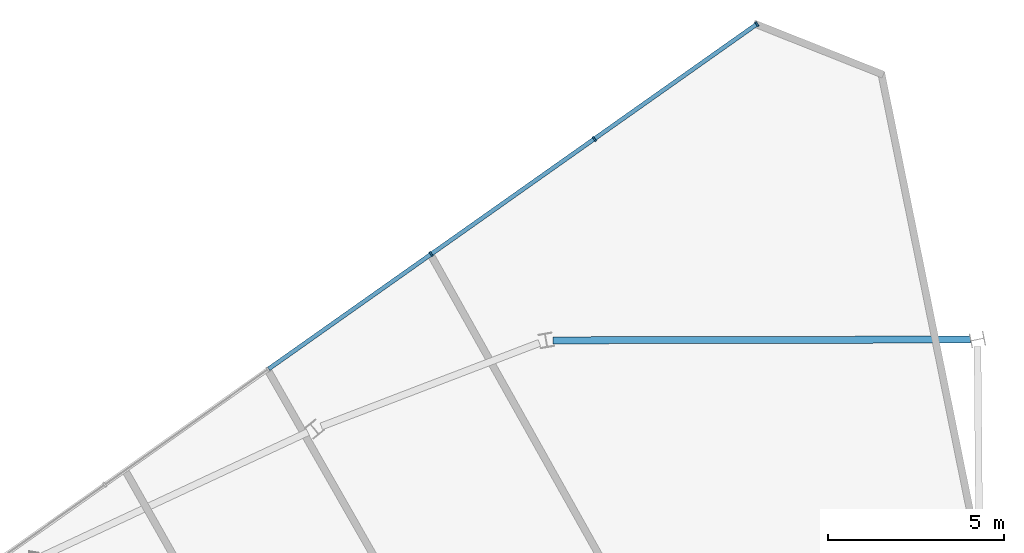
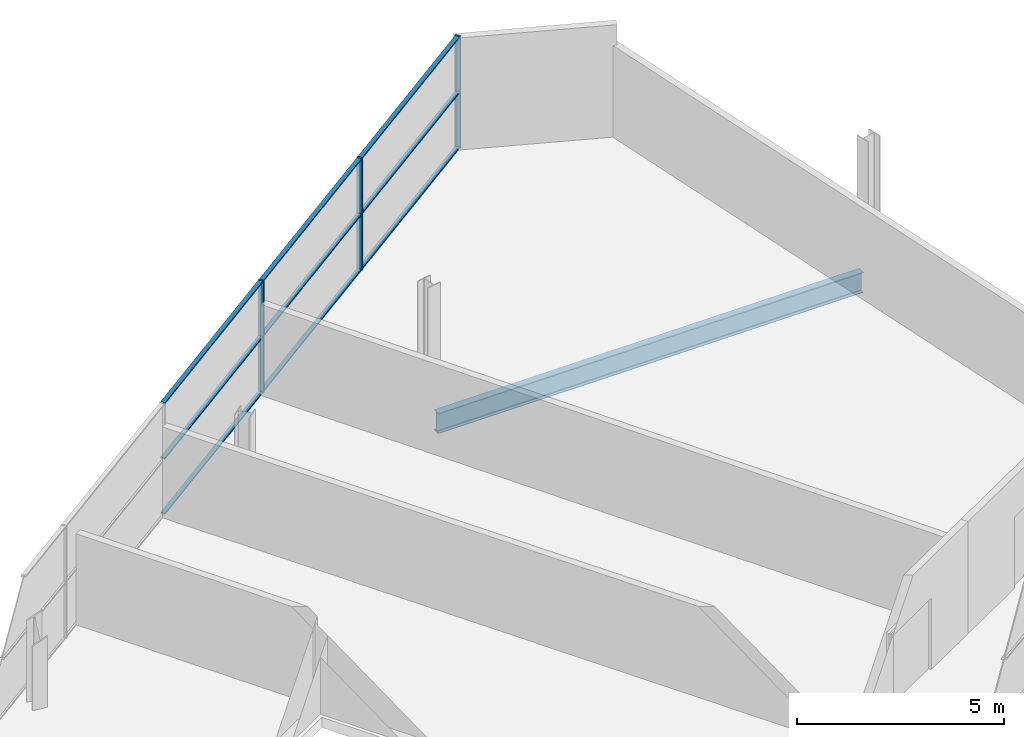
# One storey, part 7 of 10: 12 members, 1 beam, 1 element without a shape of its own.
"""IFC4 building model written with IfcOpenShell, lengths in metres."""

from ifc_helpers import new_model, si_unit, direction, frame, origin, origin_2d, place, context, subcontext, project, spatial, rectangle, i_section, extrude, material, material_profile, profile_set, type_object, element, aggregate, save


model = new_model("IFC4")

# Units and contexts
model_context = context("Model", 3, precision=1e-05, world=origin(), true_north=direction((0.0, 1.0)))
body_context = subcontext(model_context, "Body", "Model", "MODEL_VIEW")
ifc_project = project(units=[si_unit("LENGTHUNIT", "METRE"), si_unit("AREAUNIT", "SQUARE_METRE"), si_unit("VOLUMEUNIT", "CUBIC_METRE"), si_unit("PLANEANGLEUNIT", "RADIAN"), si_unit("MASSUNIT", "GRAM", prefix="KILO")], contexts=[model_context])

# Site, building, storey
site_placement = place(None, origin())
site = spatial("IfcSite", under=ifc_project, at=site_placement, CompositionType="ELEMENT")
building_placement = place(site_placement, origin())
building = spatial("IfcBuilding", under=site, at=building_placement, Name="Binnacle Exchange Tower", CompositionType="ELEMENT")
storey_placement = place(building_placement, frame((0.0, 0.0, 364.89990234375)))
storey = spatial("IfcBuildingStorey", under=building, at=storey_placement, Name="L84", CompositionType="ELEMENT", Elevation=364.89990234375)

# Curtain wall, members
ifc_material_1 = material(Name="Bronze anodised aluminium frame", Category="aluminium")
curtain_wall_type = type_object("IfcCurtainWallType", Name="External wall - curtain wall crown top", PredefinedType="NOTDEFINED", material=ifc_material_1)
curtain_wall_placement = place(storey_placement, origin())
curtain_wall = element("IfcCurtainWall", 1, at=curtain_wall_placement, inside=storey, type_object=curtain_wall_type, Name="External wall curtain wall CW6-C303 L84", PredefinedType="NOTDEFINED")
ifc_material_profile_1 = material_profile(ifc_material_1, rectangle(XDim=0.14990234375, YDim=0.050048828125, at=origin_2d()), Name="AL 50x150")
ifc_profile_set_1 = profile_set([ifc_material_profile_1], Name="Bronze anodised aluminium frame")
member_type_1 = type_object("IfcMemberType", Name="CW6 MULLION 50x150", PredefinedType="MULLION", material=ifc_profile_set_1)
member_1_placement = place(storey_placement, frame((-17.152587890625, 68.55322265625, 0.0), z_axis=(0.0, 0.0, 1.0), x_axis=(0.576854127285, -0.816847180221, 0.0)))
member_1 = element("IfcMember", 2, at=member_1_placement, type_object=member_type_1, Name="CW6-C303 mullion 1", PredefinedType="MULLION", context=body_context, shape_type="SweptSolid", body=[
    extrude(rectangle(XDim=0.14990234375, YDim=0.050048828125, at=origin_2d()), origin(), (0.0, 0.0, 1.0), 3.300048828125),
])
member_2_placement = place(storey_placement, frame((-21.771728515625, 65.291259765625, 0.0), z_axis=(0.0, 0.0, 1.0), x_axis=(0.576854127285, -0.816847180221, 0.0)))
member_2 = element("IfcMember", 3, at=member_2_placement, type_object=member_type_1, Name="CW6-C303 mullion 2", PredefinedType="MULLION", context=body_context, shape_type="SweptSolid", body=[
    extrude(rectangle(XDim=0.14990234375, YDim=0.050048828125, at=origin_2d()), origin(), (0.0, 0.0, 1.0), 3.300048828125),
])
member_3_placement = place(storey_placement, frame((-26.411376953125, 62.014892578125, 0.0), z_axis=(0.0, 0.0, 1.0), x_axis=(0.576854127285, -0.816847180221, 0.0)))
member_3 = element("IfcMember", 4, at=member_3_placement, type_object=member_type_1, Name="CW6-C303 mullion 3", PredefinedType="MULLION", context=body_context, shape_type="SweptSolid", body=[
    extrude(rectangle(XDim=0.14990234375, YDim=0.050048828125, at=origin_2d()), origin(), (0.0, 0.0, 1.0), 3.300048828125),
])
ifc_material_profile_2 = material_profile(ifc_material_1, rectangle(XDim=0.1201171875, YDim=0.0400390625, at=origin_2d()), Name="AL 120x40")
ifc_profile_set_2 = profile_set([ifc_material_profile_2], Name="Bronze anodised aluminium frame")
member_type_2 = type_object("IfcMemberType", Name="CW6 TRANSOM 40x120", PredefinedType="USERDEFINED", material=ifc_profile_set_2)
member_4_placement = place(storey_placement, frame((-17.173095703125, 68.538818359375, 0.02001953125), z_axis=(-0.816853166447, -0.57684565047, 0.0), x_axis=(0.57684565047, -0.816853166447, 0.0)))
member_4 = element("IfcMember", 5, at=member_4_placement, type_object=member_type_2, Name="CW6-C303 transom 1.1", ObjectType="TRANSOM", PredefinedType="USERDEFINED", context=body_context, shape_type="SweptSolid", body=[
    extrude(rectangle(XDim=0.1201171875, YDim=0.0400390625, at=origin_2d()), origin(), (0.0, 0.0, 1.0), 5.60498046875),
])
member_5_placement = place(storey_placement, frame((-17.173095703125, 68.538818359375, 1.650146484375), z_axis=(-0.816853166447, -0.57684565047, 0.0), x_axis=(0.57684565047, -0.816853166447, 0.0)))
member_5 = element("IfcMember", 6, at=member_5_placement, type_object=member_type_2, Name="CW6-C303 transom 1.2", ObjectType="TRANSOM", PredefinedType="USERDEFINED", context=body_context, shape_type="SweptSolid", body=[
    extrude(rectangle(XDim=0.1201171875, YDim=0.0400390625, at=origin_2d()), origin(), (0.0, 0.0, 1.0), 5.60498046875),
])
member_6_placement = place(storey_placement, frame((-17.173095703125, 68.538818359375, 3.280029296875), z_axis=(-0.816853166447, -0.57684565047, 0.0), x_axis=(0.57684565047, -0.816853166447, 0.0)))
member_6 = element("IfcMember", 7, at=member_6_placement, type_object=member_type_2, Name="CW6-C303 transom 1.3", ObjectType="TRANSOM", PredefinedType="USERDEFINED", context=body_context, shape_type="SweptSolid", body=[
    extrude(rectangle(XDim=0.1201171875, YDim=0.0400390625, at=origin_2d()), origin(), (0.0, 0.0, 1.0), 5.60498046875),
])
member_7_placement = place(storey_placement, frame((-21.792236328125, 65.27685546875, 0.02001953125), z_axis=(-0.816845257746, -0.576856849572, 0.0), x_axis=(0.576856849572, -0.816845257746, 0.0)))
member_7 = element("IfcMember", 8, at=member_7_placement, type_object=member_type_2, Name="CW6-C303 transom 2.1", ObjectType="TRANSOM", PredefinedType="USERDEFINED", context=body_context, shape_type="SweptSolid", body=[
    extrude(rectangle(XDim=0.1201171875, YDim=0.0400390625, at=origin_2d()), origin(), (0.0, 0.0, 1.0), 5.629638671875),
])
member_8_placement = place(storey_placement, frame((-21.792236328125, 65.27685546875, 1.650146484375), z_axis=(-0.816845257746, -0.576856849572, 0.0), x_axis=(0.576856849572, -0.816845257746, 0.0)))
member_8 = element("IfcMember", 9, at=member_8_placement, type_object=member_type_2, Name="CW6-C303 transom 2.2", ObjectType="TRANSOM", PredefinedType="USERDEFINED", context=body_context, shape_type="SweptSolid", body=[
    extrude(rectangle(XDim=0.1201171875, YDim=0.0400390625, at=origin_2d()), origin(), (0.0, 0.0, 1.0), 5.629638671875),
])
member_9_placement = place(storey_placement, frame((-21.792236328125, 65.27685546875, 3.280029296875), z_axis=(-0.816845257746, -0.576856849572, 0.0), x_axis=(0.576856849572, -0.816845257746, 0.0)))
member_9 = element("IfcMember", 10, at=member_9_placement, type_object=member_type_2, Name="CW6-C303 transom 2.3", ObjectType="TRANSOM", PredefinedType="USERDEFINED", context=body_context, shape_type="SweptSolid", body=[
    extrude(rectangle(XDim=0.1201171875, YDim=0.0400390625, at=origin_2d()), origin(), (0.0, 0.0, 1.0), 5.629638671875),
])
member_10_placement = place(storey_placement, frame((-26.431640625, 62.00048828125, 0.02001953125), z_axis=(-0.816859687673, -0.576836415853, 0.0), x_axis=(0.576836415853, -0.816859687673, 0.0)))
member_10 = element("IfcMember", 11, at=member_10_placement, type_object=member_type_2, Name="CW6-C303 transom 3.1", ObjectType="TRANSOM", PredefinedType="USERDEFINED", context=body_context, shape_type="SweptSolid", body=[
    extrude(rectangle(XDim=0.1201171875, YDim=0.0400390625, at=origin_2d()), origin(), (0.0, 0.0, 1.0), 5.6298828125),
])
member_11_placement = place(storey_placement, frame((-26.431640625, 62.00048828125, 1.650146484375), z_axis=(-0.816859687673, -0.576836415853, 0.0), x_axis=(0.576836415853, -0.816859687673, 0.0)))
member_11 = element("IfcMember", 12, at=member_11_placement, type_object=member_type_2, Name="CW6-C303 transom 3.2", ObjectType="TRANSOM", PredefinedType="USERDEFINED", context=body_context, shape_type="SweptSolid", body=[
    extrude(rectangle(XDim=0.1201171875, YDim=0.0400390625, at=origin_2d()), origin(), (0.0, 0.0, 1.0), 5.6298828125),
])
member_12_placement = place(storey_placement, frame((-26.431640625, 62.00048828125, 3.280029296875), z_axis=(-0.816859687673, -0.576836415853, 0.0), x_axis=(0.576836415853, -0.816859687673, 0.0)))
member_12 = element("IfcMember", 13, at=member_12_placement, type_object=member_type_2, Name="CW6-C303 transom 3.3", ObjectType="TRANSOM", PredefinedType="USERDEFINED", context=body_context, shape_type="SweptSolid", body=[
    extrude(rectangle(XDim=0.1201171875, YDim=0.0400390625, at=origin_2d()), origin(), (0.0, 0.0, 1.0), 5.6298828125),
])
aggregate(curtain_wall, [member_1, member_2, member_3, member_4, member_5, member_6, member_7, member_8, member_9, member_10, member_11, member_12])

# Beam
ifc_material_2 = material(Name="Steel S355 (SHN355)", Category="steel")
ifc_material_profile_3 = material_profile(ifc_material_2, i_section(OverallWidth=0.199951171875, OverallDepth=0.60009765625, WebThickness=0.010986328125, FlangeThickness=0.01708984375, FilletRadius=0.02197265625, at=origin_2d()), Name="H 600x200x11x17")
ifc_profile_set_3 = profile_set([ifc_material_profile_3], Name="Steel S355 (SHN355)")
beam_type = type_object("IfcBeamType", Name="Spine girder H 600x200x11x17 Steel S355 (SHN355)", PredefinedType="BEAM", material=ifc_profile_set_3)
beam_placement = place(storey_placement, frame((-22.942626953125, 59.56396484375, -0.599853515625), z_axis=(0.999998205615, 0.001894403981, 0.0), x_axis=(-0.001894403981, 0.999998205615, 0.0)))
element("IfcBeam", 14, at=beam_placement, inside=storey, type_object=beam_type, Name="S:BM:spine:L84:003", PredefinedType="BEAM", context=body_context, shape_type="SweptSolid", body=[
    extrude(i_section(OverallWidth=0.199951171875, OverallDepth=0.60009765625, WebThickness=0.010986328125, FlangeThickness=0.01708984375, FilletRadius=0.02197265625, at=origin_2d()), origin(), (0.0, 0.0, 1.0), 11.8564453125),
])

save(model, "model.ifc")
